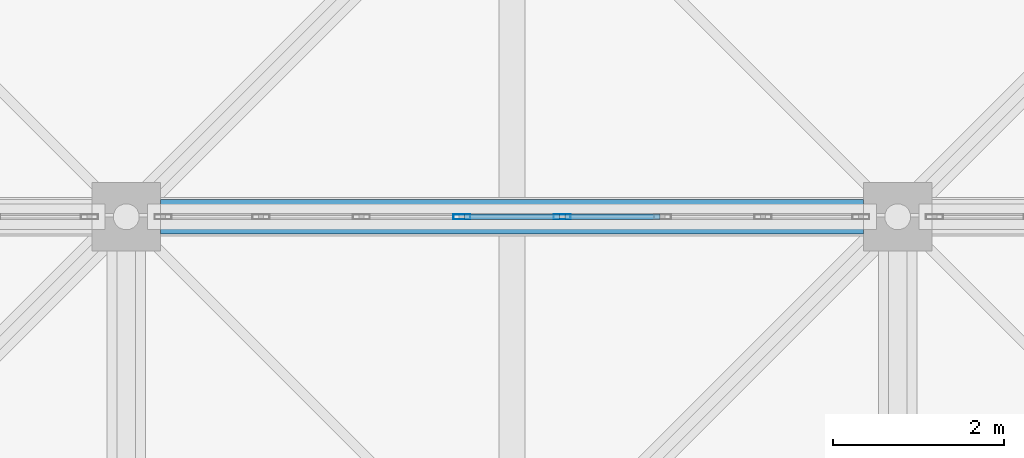
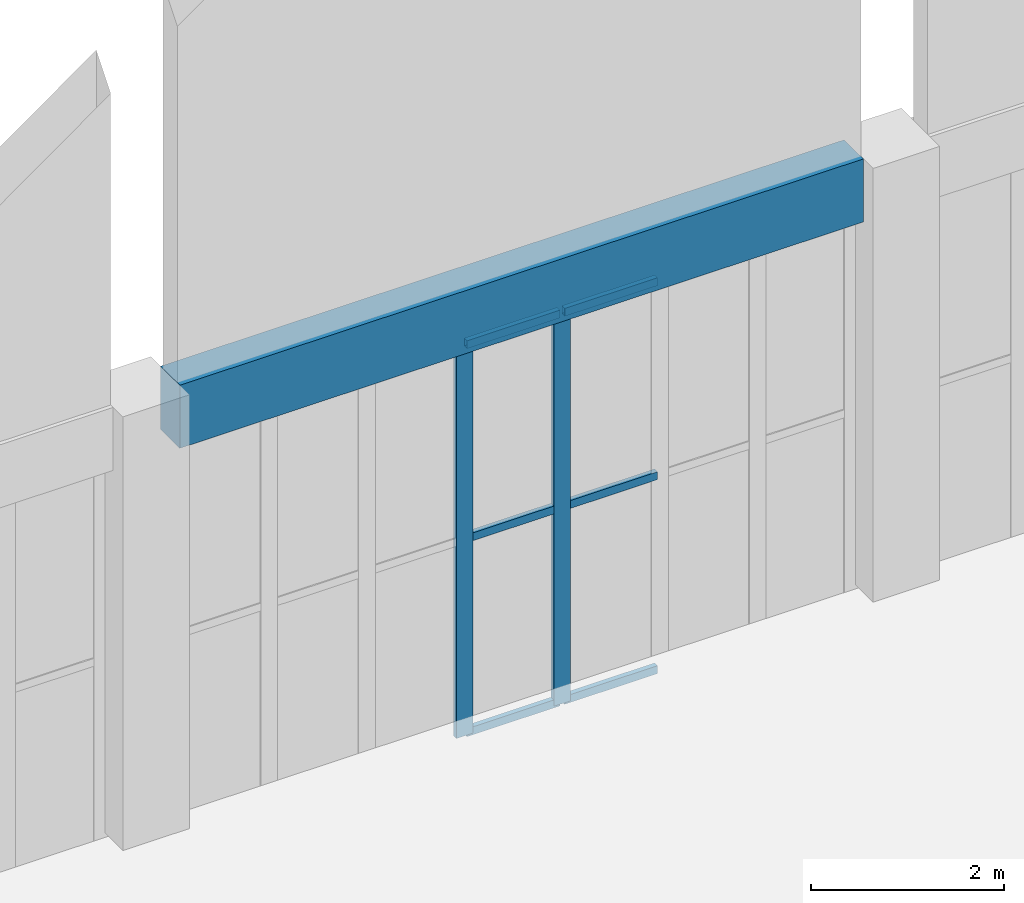
# One storey, part 123 of 437: 8 members, 1 beam, 1 element without a shape of its own.
"""IFC4 building model written with IfcOpenShell, lengths in metres."""

from ifc_helpers import new_model, si_unit, direction, frame, origin, origin_2d, place, context, subcontext, project, spatial, rectangle, hollow_rectangle, extrude, material, layer, layer_set, material_profile, profile_set, type_object, element, aggregate, save


model = new_model("IFC4")

# Units and contexts
model_context = context("Model", 3, precision=1e-05, world=origin(), true_north=direction((0.0, 1.0)))
body_context = subcontext(model_context, "Body", "Model", "MODEL_VIEW")
ifc_project = project(units=[si_unit("LENGTHUNIT", "METRE"), si_unit("AREAUNIT", "SQUARE_METRE"), si_unit("VOLUMEUNIT", "CUBIC_METRE"), si_unit("PLANEANGLEUNIT", "RADIAN"), si_unit("MASSUNIT", "GRAM", prefix="KILO")], contexts=[model_context])

# Site, building, storey
site_placement = place(None, origin())
site = spatial("IfcSite", under=ifc_project, at=site_placement, CompositionType="ELEMENT")
building_placement = place(site_placement, origin())
building = spatial("IfcBuilding", under=site, at=building_placement, Name="Opaline Strait Convention Centre", CompositionType="ELEMENT")
storey_placement = place(building_placement, frame((0.0, 0.0, 11.5)))
storey = spatial("IfcBuildingStorey", under=building, at=storey_placement, Name="L02", CompositionType="ELEMENT", Elevation=11.5)

# Curtain wall, members
ifc_material_1 = material(Name="Aluminium framed double glazing", Category="aluminium")
ifc_layer = layer(ifc_material_1, 0.199951171875)
ifc_layer_set = layer_set([ifc_layer], Name="Aluminium framed double glazing")
curtain_wall_type = type_object("IfcCurtainWallType", Name="Curtain wall 1250", PredefinedType="NOTDEFINED", material=ifc_layer_set)
curtain_wall_placement = place(storey_placement, origin())
curtain_wall = element("IfcCurtainWall", 1, at=curtain_wall_placement, inside=storey, type_object=curtain_wall_type, Name="Curtain wall N-36-L02", PredefinedType="NOTDEFINED")
ifc_material_2 = material(Name="Aluminium alloy 6063", Category="aluminium")
ifc_material_profile_1 = material_profile(ifc_material_2, hollow_rectangle(XDim=0.06005859375, YDim=0.199951171875, WallThickness=0.00390625, at=origin_2d()), Name="MULLION 60x200x4")
ifc_profile_set_1 = profile_set([ifc_material_profile_1], Name="Aluminium alloy 6063")
member_type_1 = type_object("IfcMemberType", Name="Curtain wall mullion 60 x 200", PredefinedType="MULLION", material=ifc_profile_set_1)
member_1_placement = place(storey_placement, frame((39.914306640625, 180.0, -0.280029296875), z_axis=(0.0, 0.0, 1.0), x_axis=(0.0, 1.0, 0.0)))
member_1 = element("IfcMember", 2, at=member_1_placement, type_object=member_type_1, Name="PCW mullion 4", PredefinedType="MULLION", context=body_context, shape_type="SweptSolid", body=[
    extrude(hollow_rectangle(XDim=0.06005859375, YDim=0.199951171875, WallThickness=0.00390625, at=origin_2d()), origin(), (0.0, 0.0, 1.0), 4.97998046875),
])
member_2_placement = place(storey_placement, frame((41.085693359375, 180.0, -0.280029296875), z_axis=(0.0, 0.0, 1.0), x_axis=(0.0, 1.0, 0.0)))
member_2 = element("IfcMember", 3, at=member_2_placement, type_object=member_type_1, Name="PCW mullion 5", PredefinedType="MULLION", context=body_context, shape_type="SweptSolid", body=[
    extrude(hollow_rectangle(XDim=0.06005859375, YDim=0.199951171875, WallThickness=0.00390625, at=origin_2d()), origin(), (0.0, 0.0, 1.0), 4.97998046875),
])
ifc_material_profile_2 = material_profile(ifc_material_2, hollow_rectangle(XDim=0.06005859375, YDim=0.10009765625, WallThickness=0.0029296875, at=origin_2d()), Name="TRANSOM 60x100x3")
ifc_profile_set_2 = profile_set([ifc_material_profile_2], Name="Aluminium alloy 6063")
member_type_2 = type_object("IfcMemberType", Name="Curtain wall transom 60 x 100", PredefinedType="USERDEFINED", material=ifc_profile_set_2)
member_3_placement = place(storey_placement, frame((39.9443359375, 180.0, -0.25), z_axis=(1.0, 0.0, 0.0), x_axis=(0.0, 1.0, 0.0)))
member_3 = element("IfcMember", 4, at=member_3_placement, type_object=member_type_2, Name="PCW transom 4.1", ObjectType="TRANSOM", PredefinedType="USERDEFINED", context=body_context, shape_type="SweptSolid", body=[
    extrude(hollow_rectangle(XDim=0.06005859375, YDim=0.10009765625, WallThickness=0.0029296875, at=origin_2d()), origin(), (0.0, 0.0, 1.0), 1.111328125),
])
member_4_placement = place(storey_placement, frame((39.9443359375, 180.0, 2.2099609375), z_axis=(1.0, 0.0, 0.0), x_axis=(0.0, 1.0, 0.0)))
member_4 = element("IfcMember", 5, at=member_4_placement, type_object=member_type_2, Name="PCW transom 4.2", ObjectType="TRANSOM", PredefinedType="USERDEFINED", context=body_context, shape_type="SweptSolid", body=[
    extrude(hollow_rectangle(XDim=0.06005859375, YDim=0.10009765625, WallThickness=0.0029296875, at=origin_2d()), origin(), (0.0, 0.0, 1.0), 1.111328125),
])
member_5_placement = place(storey_placement, frame((39.9443359375, 180.0, 4.669921875), z_axis=(1.0, 0.0, 0.0), x_axis=(0.0, 1.0, 0.0)))
member_5 = element("IfcMember", 6, at=member_5_placement, type_object=member_type_2, Name="PCW transom 4.3", ObjectType="TRANSOM", PredefinedType="USERDEFINED", context=body_context, shape_type="SweptSolid", body=[
    extrude(hollow_rectangle(XDim=0.06005859375, YDim=0.10009765625, WallThickness=0.0029296875, at=origin_2d()), origin(), (0.0, 0.0, 1.0), 1.111328125),
])
member_6_placement = place(storey_placement, frame((41.11572265625, 180.0, -0.25), z_axis=(1.0, 0.0, 0.0), x_axis=(0.0, 1.0, 0.0)))
member_6 = element("IfcMember", 7, at=member_6_placement, type_object=member_type_2, Name="PCW transom 5.1", ObjectType="TRANSOM", PredefinedType="USERDEFINED", context=body_context, shape_type="SweptSolid", body=[
    extrude(hollow_rectangle(XDim=0.06005859375, YDim=0.10009765625, WallThickness=0.0029296875, at=origin_2d()), origin(), (0.0, 0.0, 1.0), 1.111572265625),
])
member_7_placement = place(storey_placement, frame((41.11572265625, 180.0, 2.2099609375), z_axis=(1.0, 0.0, 0.0), x_axis=(0.0, 1.0, 0.0)))
member_7 = element("IfcMember", 8, at=member_7_placement, type_object=member_type_2, Name="PCW transom 5.2", ObjectType="TRANSOM", PredefinedType="USERDEFINED", context=body_context, shape_type="SweptSolid", body=[
    extrude(hollow_rectangle(XDim=0.06005859375, YDim=0.10009765625, WallThickness=0.0029296875, at=origin_2d()), origin(), (0.0, 0.0, 1.0), 1.111572265625),
])
member_8_placement = place(storey_placement, frame((41.11572265625, 180.0, 4.669921875), z_axis=(1.0, 0.0, 0.0), x_axis=(0.0, 1.0, 0.0)))
member_8 = element("IfcMember", 9, at=member_8_placement, type_object=member_type_2, Name="PCW transom 5.3", ObjectType="TRANSOM", PredefinedType="USERDEFINED", context=body_context, shape_type="SweptSolid", body=[
    extrude(hollow_rectangle(XDim=0.06005859375, YDim=0.10009765625, WallThickness=0.0029296875, at=origin_2d()), origin(), (0.0, 0.0, 1.0), 1.111572265625),
])
aggregate(curtain_wall, [member_1, member_2, member_3, member_4, member_5, member_6, member_7, member_8])

# Beam
ifc_material_3 = material(Name="Concrete C35", Category="concrete")
ifc_material_profile_3 = material_profile(ifc_material_3, rectangle(XDim=0.39990234375, YDim=0.800048828125, at=origin_2d()), Name="RC 400x800")
ifc_profile_set_3 = profile_set([ifc_material_profile_3], Name="Concrete C35")
beam_type = type_object("IfcBeamType", Name="RC ground beam 400x800 C35", PredefinedType="BEAM", material=ifc_profile_set_3)
beam_placement = place(storey_placement, frame((36.39990234375, 180.0, 5.10009765625), z_axis=(1.0, 0.0, 0.0), x_axis=(0.0, 1.0, 0.0)))
element("IfcBeam", 10, at=beam_placement, inside=storey, type_object=beam_type, Name="PGB1 end wall head beam 4", PredefinedType="BEAM", context=body_context, shape_type="SweptSolid", body=[
    extrude(rectangle(XDim=0.39990234375, YDim=0.800048828125, at=origin_2d()), origin(), (0.0, 0.0, 1.0), 8.2001953125),
])

save(model, "model.ifc")
